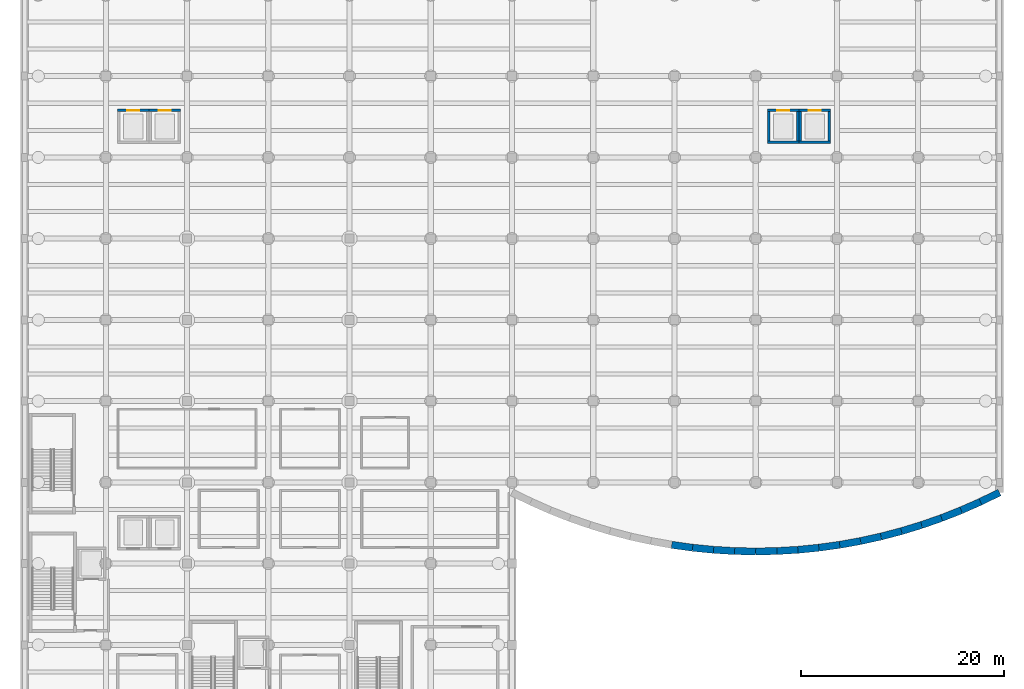
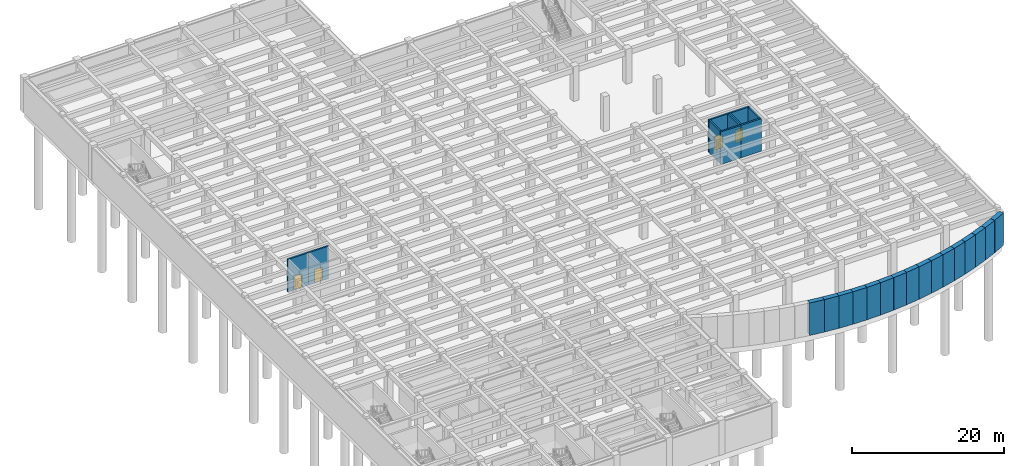
# One storey, part 9 of 18: 26 walls, 4 doors, 4 openings.
"""IFC4 building model written with IfcOpenShell, lengths in metres."""

from ifc_helpers import new_model, si_unit, direction, frame, frame_2d, origin, place, context, subcontext, project, spatial, rectangle, extrude, material, layer, layer_set, type_object, element, fill, save


model = new_model("IFC4")

# Units and contexts
model_context = context("Model", 3, precision=1e-05, world=origin(), true_north=direction((0.0, 1.0)))
body_context = subcontext(model_context, "Body", "Model", "MODEL_VIEW")
ifc_project = project(units=[si_unit("LENGTHUNIT", "METRE"), si_unit("AREAUNIT", "SQUARE_METRE"), si_unit("VOLUMEUNIT", "CUBIC_METRE"), si_unit("PLANEANGLEUNIT", "RADIAN"), si_unit("MASSUNIT", "GRAM", prefix="KILO")], contexts=[model_context])

# Site, building, storey
site_placement = place(None, origin())
site = spatial("IfcSite", under=ifc_project, at=site_placement, CompositionType="ELEMENT")
building_placement = place(site_placement, origin())
building = spatial("IfcBuilding", under=site, at=building_placement, Name="Drelvath Fold Interchange", CompositionType="ELEMENT")
storey_placement = place(building_placement, frame((0.0, 0.0, -11.199951171875)))
storey = spatial("IfcBuildingStorey", under=building, at=storey_placement, Name="B2", CompositionType="ELEMENT", Elevation=-11.199951171875)

# Walls
ifc_material_1 = material(Name="Concrete f'c 45 MPa (6500 psi)", Category="concrete")
ifc_layer_1 = layer(ifc_material_1, 0.699951171875, Name="Concrete f'c 45 MPa (6500 psi)")
ifc_layer_set_1 = layer_set([ifc_layer_1], Name="Concrete f'c 45 MPa (6500 psi)")
wall_type_1 = type_object("IfcWallType", Name="WL-DW700", PredefinedType="SOLIDWALL", material=ifc_layer_set_1)
wall_1_placement = place(storey_placement, frame((67.72607421875, 20.84912109375, 0.0), z_axis=(0.0, 0.0, 1.0), x_axis=(0.990398158961, -0.138244300883, 0.0)))
element("IfcWall", 1, at=wall_1_placement, inside=storey, type_object=wall_type_1, Name="B2 diaphragm wall 16", PredefinedType="SOLIDWALL", context=body_context, shape_type="SweptSolid", body=[
    extrude(rectangle(XDim=2.076904296875, YDim=0.699951171875, at=frame_2d((1.03857421875, 0.0))), origin(), (0.0, 0.0, 1.0), 5.219970703125),
])
wall_2_placement = place(storey_placement, frame((69.782958984375, 20.56201171875, 0.0), z_axis=(0.0, 0.0, 1.0), x_axis=(0.995114849303, -0.098724043157, 0.0)))
element("IfcWall", 2, at=wall_2_placement, inside=storey, type_object=wall_type_1, Name="B2 diaphragm wall 17", PredefinedType="SOLIDWALL", context=body_context, shape_type="SweptSolid", body=[
    extrude(rectangle(XDim=2.077392578125, YDim=0.699951171875, at=frame_2d((1.03857421875, 0.0))), origin(), (0.0, 0.0, 1.0), 5.219970703125),
])
wall_3_placement = place(storey_placement, frame((71.85009765625, 20.35693359375, 0.0), z_axis=(0.0, 0.0, 1.0), x_axis=(0.998243016639, -0.059252676998, 0.0)))
element("IfcWall", 3, at=wall_3_placement, inside=storey, type_object=wall_type_1, Name="B2 diaphragm wall 18", PredefinedType="SOLIDWALL", context=body_context, shape_type="SweptSolid", body=[
    extrude(rectangle(XDim=2.07666015625, YDim=0.699951171875, at=frame_2d((1.038330078125, 0.0))), origin(), (0.0, 0.0, 1.0), 5.219970703125),
])
for number, where, z_axis, x_axis, name in (
    (4, (73.923095703125, 20.23388671875, 0.0), (0.0, 0.0, 1.0), (0.99980736971, -0.019627110702, 0.0), "B2 diaphragm wall 19"),
    (5, (76.0, 20.193115234375, 0.0), (0.0, 0.0, 1.0), (0.99980736971, 0.019627110702, 0.0), "B2 diaphragm wall 20"),
):
    element("IfcWall", number, at=place(storey_placement, frame(where, z_axis=z_axis, x_axis=x_axis)), inside=storey, type_object=wall_type_1, Name=name, PredefinedType="SOLIDWALL", context=body_context, shape_type="SweptSolid", body=[
        extrude(rectangle(XDim=2.077392578125, YDim=0.699951171875, at=frame_2d((1.03857421875, 0.0))), origin(), (0.0, 0.0, 1.0), 5.219970703125),
    ])
wall_4_placement = place(storey_placement, frame((78.076904296875, 20.23388671875, 0.0), z_axis=(0.0, 0.0, 1.0), x_axis=(0.998243016639, 0.059252676998, 0.0)))
element("IfcWall", 6, at=wall_4_placement, inside=storey, type_object=wall_type_1, Name="B2 diaphragm wall 21", PredefinedType="SOLIDWALL", context=body_context, shape_type="SweptSolid", body=[
    extrude(rectangle(XDim=2.07666015625, YDim=0.699951171875, at=frame_2d((1.038330078125, 0.0))), origin(), (0.0, 0.0, 1.0), 5.219970703125),
])
wall_5_placement = place(storey_placement, frame((80.14990234375, 20.35693359375, 0.0), z_axis=(0.0, 0.0, 1.0), x_axis=(0.995114849303, 0.098724043157, 0.0)))
element("IfcWall", 7, at=wall_5_placement, inside=storey, type_object=wall_type_1, Name="B2 diaphragm wall 22", PredefinedType="SOLIDWALL", context=body_context, shape_type="SweptSolid", body=[
    extrude(rectangle(XDim=2.077392578125, YDim=0.699951171875, at=frame_2d((1.03857421875, 0.0))), origin(), (0.0, 0.0, 1.0), 5.219970703125),
])
wall_6_placement = place(storey_placement, frame((82.217041015625, 20.56201171875, 0.0), z_axis=(0.0, 0.0, 1.0), x_axis=(0.990398158961, 0.138244300883, 0.0)))
element("IfcWall", 8, at=wall_6_placement, inside=storey, type_object=wall_type_1, Name="B2 diaphragm wall 23", PredefinedType="SOLIDWALL", context=body_context, shape_type="SweptSolid", body=[
    extrude(rectangle(XDim=2.076904296875, YDim=0.699951171875, at=frame_2d((1.03857421875, 0.0))), origin(), (0.0, 0.0, 1.0), 5.219970703125),
])
wall_7_placement = place(storey_placement, frame((84.27392578125, 20.84912109375, 0.0), z_axis=(0.0, 0.0, 1.0), x_axis=(0.984186192965, 0.177137058736, 0.0)))
element("IfcWall", 9, at=wall_7_placement, inside=storey, type_object=wall_type_1, Name="B2 diaphragm wall 24", PredefinedType="SOLIDWALL", context=body_context, shape_type="SweptSolid", body=[
    extrude(rectangle(XDim=2.0771484375, YDim=0.699951171875, at=frame_2d((1.03857421875, 0.0))), origin(), (0.0, 0.0, 1.0), 5.219970703125),
])
wall_8_placement = place(storey_placement, frame((86.318115234375, 21.217041015625, 0.0), z_axis=(0.0, 0.0, 1.0), x_axis=(0.976454627241, 0.215722879965, 0.0)))
element("IfcWall", 10, at=wall_8_placement, inside=storey, type_object=wall_type_1, Name="B2 diaphragm wall 25", PredefinedType="SOLIDWALL", context=body_context, shape_type="SweptSolid", body=[
    extrude(rectangle(XDim=2.07666015625, YDim=0.699951171875, at=frame_2d((1.038330078125, 0.0))), origin(), (0.0, 0.0, 1.0), 5.219970703125),
])
wall_9_placement = place(storey_placement, frame((88.345947265625, 21.6650390625, 0.0), z_axis=(0.0, 0.0, 1.0), x_axis=(0.967031901637, 0.254655259551, 0.0)))
element("IfcWall", 11, at=wall_9_placement, inside=storey, type_object=wall_type_1, Name="B2 diaphragm wall 26", PredefinedType="SOLIDWALL", context=body_context, shape_type="SweptSolid", body=[
    extrude(rectangle(XDim=2.07763671875, YDim=0.699951171875, at=frame_2d((1.038818359375, 0.0))), origin(), (0.0, 0.0, 1.0), 5.219970703125),
])
wall_10_placement = place(storey_placement, frame((90.35498046875, 22.194091796875, 0.0), z_axis=(0.0, 0.0, 1.0), x_axis=(0.956341531937, 0.292251388862, 0.0)))
element("IfcWall", 12, at=wall_10_placement, inside=storey, type_object=wall_type_1, Name="B2 diaphragm wall 27", PredefinedType="SOLIDWALL", context=body_context, shape_type="SweptSolid", body=[
    extrude(rectangle(XDim=2.07666015625, YDim=0.699951171875, at=frame_2d((1.038330078125, 0.0))), origin(), (0.0, 0.0, 1.0), 5.219970703125),
])
for number, where, z_axis, x_axis, name in (
    (13, (92.341064453125, 22.801025390625, 0.0), (0.0, 0.0, 1.0), (0.944048769858, 0.329805882498, 0.0), "B2 diaphragm wall 28"),
    (14, (94.302001953125, 23.486083984375, 0.0), (0.0, 0.0, 1.0), (0.930097108534, 0.367313719723, 0.0), "B2 diaphragm wall 29"),
):
    element("IfcWall", number, at=place(storey_placement, frame(where, z_axis=z_axis, x_axis=x_axis)), inside=storey, type_object=wall_type_1, Name=name, PredefinedType="SOLIDWALL", context=body_context, shape_type="SweptSolid", body=[
        extrude(rectangle(XDim=2.0771484375, YDim=0.699951171875, at=frame_2d((1.03857421875, 0.0))), origin(), (0.0, 0.0, 1.0), 5.219970703125),
    ])
wall_11_placement = place(storey_placement, frame((96.23388671875, 24.2490234375, 0.0), z_axis=(0.0, 0.0, 1.0), x_axis=(0.914990571721, 0.403475220628, 0.0)))
element("IfcWall", 15, at=wall_11_placement, inside=storey, type_object=wall_type_1, Name="B2 diaphragm wall 30", PredefinedType="SOLIDWALL", context=body_context, shape_type="SweptSolid", body=[
    extrude(rectangle(XDim=2.07666015625, YDim=0.699951171875, at=frame_2d((1.038330078125, 0.0))), origin(), (0.0, 0.0, 1.0), 5.219970703125),
])
wall_12_placement = place(storey_placement, frame((98.134033203125, 25.0869140625, 0.0), z_axis=(0.0, 0.0, 1.0), x_axis=(0.898225606886, 0.439534707543, 0.0)))
element("IfcWall", 16, at=wall_12_placement, inside=storey, type_object=wall_type_1, Name="B2 diaphragm wall 31", PredefinedType="SOLIDWALL", context=body_context, shape_type="SweptSolid", body=[
    extrude(rectangle(XDim=2.077392578125, YDim=0.699951171875, at=frame_2d((1.03857421875, 0.0))), origin(), (0.0, 0.0, 1.0), 5.219970703125),
])

# Wall, opening, door
ifc_layer_2 = layer(ifc_material_1, 0.25, Name="Concrete f'c 45 MPa (6500 psi)")
ifc_layer_set_2 = layer_set([ifc_layer_2], Name="Concrete f'c 45 MPa (6500 psi)")
wall_type_2 = type_object("IfcWallType", Name="WL-SH250", PredefinedType="SOLIDWALL", material=ifc_layer_set_2)
wall_13_placement = place(storey_placement, frame((16.25, 63.625, 0.0), z_axis=(0.0, 0.0, 1.0), x_axis=(-1.0, 0.0, 0.0)))
wall_13 = element("IfcWall", 17, at=wall_13_placement, inside=storey, type_object=wall_type_2, Name="LF-03 B2 north shaft wall", PredefinedType="SOLIDWALL", context=body_context, shape_type="SweptSolid", body=[
    extrude(rectangle(XDim=3.10009765625, YDim=0.25, at=frame_2d((1.550048828125, 0.0))), origin(), (0.0, 0.0, 1.0), 5.23486328125),
])
opening_1_placement = place(wall_13_placement, frame((0.949951171875, 0.0, 0.0)))
opening_1 = element("IfcOpeningElement", 18, at=opening_1_placement, cuts=wall_13, Name="Opening LD-LF-03-B2", PredefinedType="OPENING", context=body_context, shape_type="SweptSolid", body=[
    extrude(rectangle(XDim=1.199951171875, YDim=2.199951171875, at=frame_2d((0.60009765625, 1.10009765625))), frame((0.0, 0.135009765625, 0.0), z_axis=(0.0, -1.0, 0.0), x_axis=(1.0, 0.0, 0.0)), (0.0, 0.0, 1.0), 0.27001953125),
])
ifc_material_2 = material(Name="Insulated Hollow Metal Door Assembly")
door_type = type_object("IfcDoorType", Name="DR-LD1200", OperationType="DOUBLE_DOOR_SLIDING", PredefinedType="DOOR", material=ifc_material_2)
door_1_placement = place(opening_1_placement, frame((1.199951171875, 0.0, 0.0), z_axis=(0.0, 0.0, 1.0), x_axis=(-1.0, 0.0, 0.0)))
door_1 = element("IfcDoor", 19, at=door_1_placement, inside=storey, type_object=door_type, Name="LF-03 B2 lift landing sliding door LD-LF-03-B2", OperationType="DOUBLE_DOOR_SLIDING", OverallHeight=2.199951171875, OverallWidth=1.199951171875, PredefinedType="DOOR", context=body_context, shape_type="SweptSolid", body=[
    extrude(rectangle(XDim=1.199951171875, YDim=2.199951171875, at=frame_2d((0.60009765625, 1.10009765625))), frame((0.0, 0.02490234375, 0.0), z_axis=(0.0, -1.0, 0.0), x_axis=(1.0, 0.0, 0.0)), (0.0, 0.0, 1.0), 0.050048828125),
])
fill(opening_1, door_1)

wall_14_placement = place(storey_placement, frame((19.35009765625, 63.625, 0.0), z_axis=(0.0, 0.0, 1.0), x_axis=(-1.0, 0.0, 0.0)))
wall_14 = element("IfcWall", 20, at=wall_14_placement, inside=storey, type_object=wall_type_2, Name="LF-04 B2 north shaft wall", PredefinedType="SOLIDWALL", context=body_context, shape_type="SweptSolid", body=[
    extrude(rectangle(XDim=3.10009765625, YDim=0.25, at=frame_2d((1.550048828125, 0.0))), origin(), (0.0, 0.0, 1.0), 5.23486328125),
])
opening_2_placement = place(wall_14_placement, frame((0.949951171875, 0.0, 0.0)))
opening_2 = element("IfcOpeningElement", 21, at=opening_2_placement, cuts=wall_14, Name="Opening LD-LF-04-B2", PredefinedType="OPENING", context=body_context, shape_type="SweptSolid", body=[
    extrude(rectangle(XDim=1.199951171875, YDim=2.199951171875, at=frame_2d((0.60009765625, 1.10009765625))), frame((0.0, 0.135009765625, 0.0), z_axis=(0.0, -1.0, 0.0), x_axis=(1.0, 0.0, 0.0)), (0.0, 0.0, 1.0), 0.27001953125),
])
door_2_placement = place(opening_2_placement, frame((1.199951171875, 0.0, 0.0), z_axis=(0.0, 0.0, 1.0), x_axis=(-1.0, 0.0, 0.0)))
door_2 = element("IfcDoor", 22, at=door_2_placement, inside=storey, type_object=door_type, Name="LF-04 B2 lift landing sliding door LD-LF-04-B2", OperationType="DOUBLE_DOOR_SLIDING", OverallHeight=2.199951171875, OverallWidth=1.199951171875, PredefinedType="DOOR", context=body_context, shape_type="SweptSolid", body=[
    extrude(rectangle(XDim=1.199951171875, YDim=2.199951171875, at=frame_2d((0.60009765625, 1.10009765625))), frame((0.0, 0.02490234375, 0.0), z_axis=(0.0, -1.0, 0.0), x_axis=(1.0, 0.0, 0.0)), (0.0, 0.0, 1.0), 0.050048828125),
])
fill(opening_2, door_2)

# Wall
wall_15_placement = place(storey_placement, frame((77.14990234375, 60.47509765625, 0.0), z_axis=(0.0, 0.0, 1.0), x_axis=(1.0, 0.0, 0.0)))
element("IfcWall", 23, at=wall_15_placement, inside=storey, type_object=wall_type_2, Name="LF-05 B2 south shaft wall", PredefinedType="SOLIDWALL", context=body_context, shape_type="SweptSolid", body=[
    extrude(rectangle(XDim=3.10009765625, YDim=0.25, at=frame_2d((1.550048828125, 0.0))), origin(), (0.0, 0.0, 1.0), 5.23486328125),
])

# Wall, opening, door
wall_16_placement = place(storey_placement, frame((80.25, 63.625, 0.0), z_axis=(0.0, 0.0, 1.0), x_axis=(-1.0, 0.0, 0.0)))
wall_16 = element("IfcWall", 24, at=wall_16_placement, inside=storey, type_object=wall_type_2, Name="LF-05 B2 north shaft wall", PredefinedType="SOLIDWALL", context=body_context, shape_type="SweptSolid", body=[
    extrude(rectangle(XDim=3.10009765625, YDim=0.25, at=frame_2d((1.550048828125, 0.0))), origin(), (0.0, 0.0, 1.0), 5.23486328125),
])
opening_3_placement = place(wall_16_placement, frame((0.949951171875, 0.0, 0.0)))
opening_3 = element("IfcOpeningElement", 25, at=opening_3_placement, cuts=wall_16, Name="Opening LD-LF-05-B2", PredefinedType="OPENING", context=body_context, shape_type="SweptSolid", body=[
    extrude(rectangle(XDim=1.199951171875, YDim=2.199951171875, at=frame_2d((0.60009765625, 1.10009765625))), frame((0.0, 0.135009765625, 0.0), z_axis=(0.0, -1.0, 0.0), x_axis=(1.0, 0.0, 0.0)), (0.0, 0.0, 1.0), 0.27001953125),
])
door_3_placement = place(opening_3_placement, frame((1.199951171875, 0.0, 0.0), z_axis=(0.0, 0.0, 1.0), x_axis=(-1.0, 0.0, 0.0)))
door_3 = element("IfcDoor", 26, at=door_3_placement, inside=storey, type_object=door_type, Name="LF-05 B2 lift landing sliding door LD-LF-05-B2", OperationType="DOUBLE_DOOR_SLIDING", OverallHeight=2.199951171875, OverallWidth=1.199951171875, PredefinedType="DOOR", context=body_context, shape_type="SweptSolid", body=[
    extrude(rectangle(XDim=1.199951171875, YDim=2.199951171875, at=frame_2d((0.60009765625, 1.10009765625))), frame((0.0, 0.02490234375, 0.0), z_axis=(0.0, -1.0, 0.0), x_axis=(1.0, 0.0, 0.0)), (0.0, 0.0, 1.0), 0.050048828125),
])
fill(opening_3, door_3)

# Walls
for number, where, z_axis, x_axis, name in (
    (27, (80.125, 60.60009765625, 0.0), (0.0, 0.0, 1.0), (0.0, 1.0, 0.0), "LF-05 B2 east shaft wall"),
    (28, (77.27490234375, 63.5, 0.0), (0.0, 0.0, 1.0), (0.0, -1.0, 0.0), "LF-05 B2 west shaft wall"),
):
    element("IfcWall", number, at=place(storey_placement, frame(where, z_axis=z_axis, x_axis=x_axis)), inside=storey, type_object=wall_type_2, Name=name, PredefinedType="SOLIDWALL", context=body_context, shape_type="SweptSolid", body=[
        extrude(rectangle(XDim=2.89990234375, YDim=0.25, at=frame_2d((1.449951171875, 0.0))), origin(), (0.0, 0.0, 1.0), 5.23486328125),
    ])
wall_17_placement = place(storey_placement, frame((80.25, 60.47509765625, 0.0), z_axis=(0.0, 0.0, 1.0), x_axis=(1.0, 0.0, 0.0)))
element("IfcWall", 29, at=wall_17_placement, inside=storey, type_object=wall_type_2, Name="LF-06 B2 south shaft wall", PredefinedType="SOLIDWALL", context=body_context, shape_type="SweptSolid", body=[
    extrude(rectangle(XDim=3.10009765625, YDim=0.25, at=frame_2d((1.550048828125, 0.0))), origin(), (0.0, 0.0, 1.0), 5.23486328125),
])

# Wall, opening, door
wall_18_placement = place(storey_placement, frame((83.35009765625, 63.625, 0.0), z_axis=(0.0, 0.0, 1.0), x_axis=(-1.0, 0.0, 0.0)))
wall_18 = element("IfcWall", 30, at=wall_18_placement, inside=storey, type_object=wall_type_2, Name="LF-06 B2 north shaft wall", PredefinedType="SOLIDWALL", context=body_context, shape_type="SweptSolid", body=[
    extrude(rectangle(XDim=3.10009765625, YDim=0.25, at=frame_2d((1.550048828125, 0.0))), origin(), (0.0, 0.0, 1.0), 5.23486328125),
])
opening_4_placement = place(wall_18_placement, frame((0.949951171875, 0.0, 0.0)))
opening_4 = element("IfcOpeningElement", 31, at=opening_4_placement, cuts=wall_18, Name="Opening LD-LF-06-B2", PredefinedType="OPENING", context=body_context, shape_type="SweptSolid", body=[
    extrude(rectangle(XDim=1.199951171875, YDim=2.199951171875, at=frame_2d((0.60009765625, 1.10009765625))), frame((0.0, 0.135009765625, 0.0), z_axis=(0.0, -1.0, 0.0), x_axis=(1.0, 0.0, 0.0)), (0.0, 0.0, 1.0), 0.27001953125),
])
door_4_placement = place(opening_4_placement, frame((1.199951171875, 0.0, 0.0), z_axis=(0.0, 0.0, 1.0), x_axis=(-1.0, 0.0, 0.0)))
door_4 = element("IfcDoor", 32, at=door_4_placement, inside=storey, type_object=door_type, Name="LF-06 B2 lift landing sliding door LD-LF-06-B2", OperationType="DOUBLE_DOOR_SLIDING", OverallHeight=2.199951171875, OverallWidth=1.199951171875, PredefinedType="DOOR", context=body_context, shape_type="SweptSolid", body=[
    extrude(rectangle(XDim=1.199951171875, YDim=2.199951171875, at=frame_2d((0.60009765625, 1.10009765625))), frame((0.0, 0.02490234375, 0.0), z_axis=(0.0, -1.0, 0.0), x_axis=(1.0, 0.0, 0.0)), (0.0, 0.0, 1.0), 0.050048828125),
])
fill(opening_4, door_4)

# Walls
for number, where, z_axis, x_axis, name in (
    (33, (83.22509765625, 60.60009765625, 0.0), (0.0, 0.0, 1.0), (0.0, 1.0, 0.0), "LF-06 B2 east shaft wall"),
    (34, (80.375, 63.5, 0.0), (0.0, 0.0, 1.0), (0.0, -1.0, 0.0), "LF-06 B2 west shaft wall"),
):
    element("IfcWall", number, at=place(storey_placement, frame(where, z_axis=z_axis, x_axis=x_axis)), inside=storey, type_object=wall_type_2, Name=name, PredefinedType="SOLIDWALL", context=body_context, shape_type="SweptSolid", body=[
        extrude(rectangle(XDim=2.89990234375, YDim=0.25, at=frame_2d((1.449951171875, 0.0))), origin(), (0.0, 0.0, 1.0), 5.23486328125),
    ])

save(model, "model.ifc")
